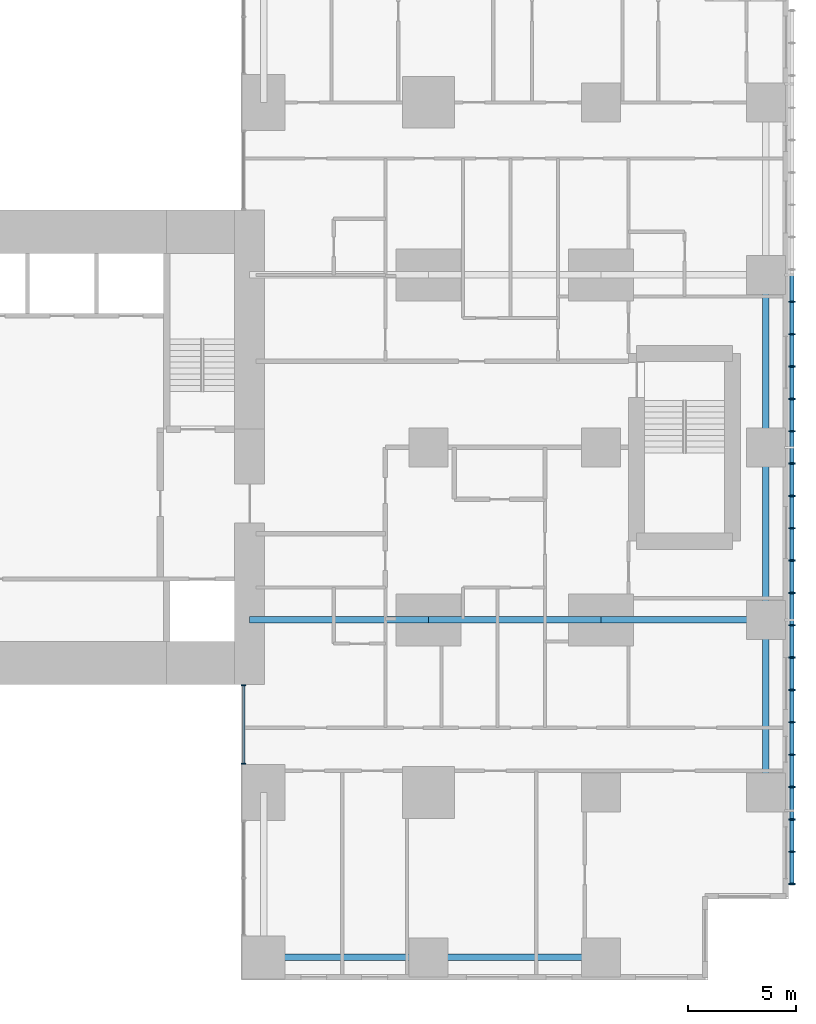
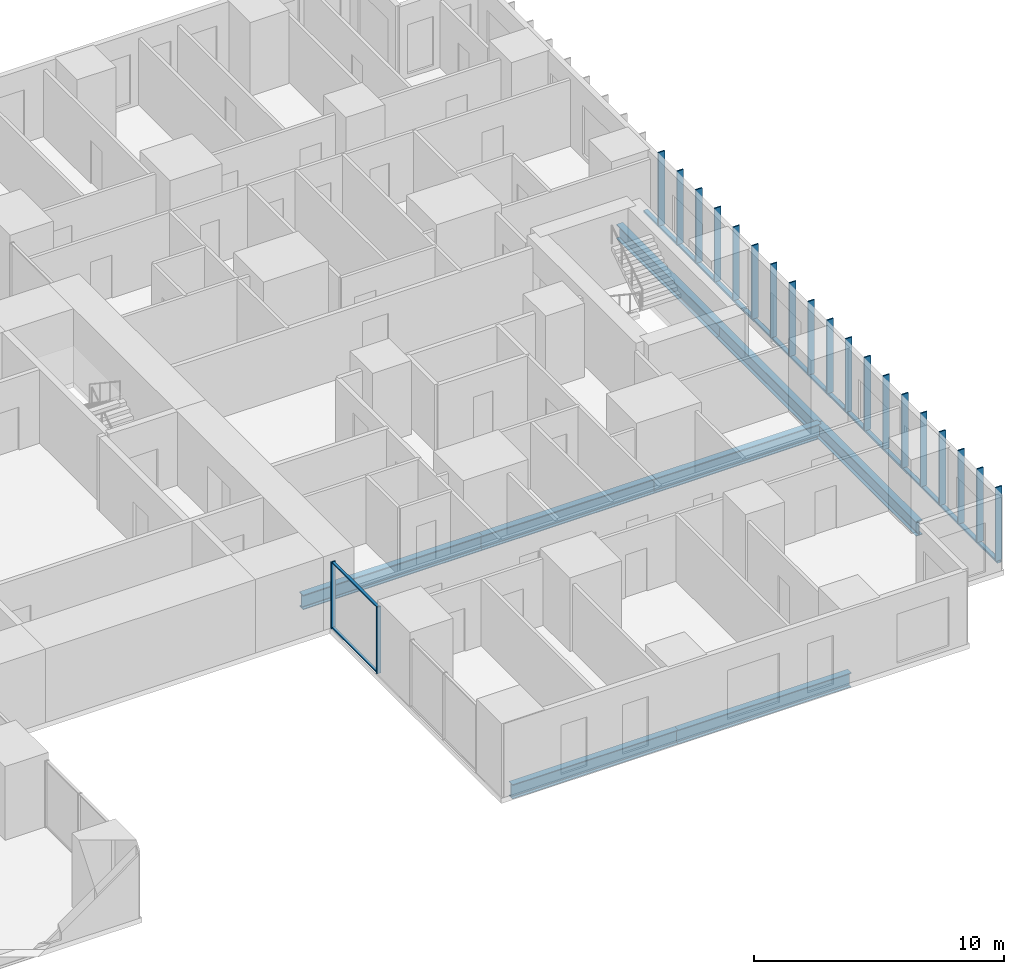
# One storey, part 3 of 15: 26 members, 8 beams, 1 element without a shape of its own.
"""IFC4 building model written with IfcOpenShell, lengths in metres."""

from ifc_helpers import new_model, si_unit, direction, frame, origin, origin_2d, place, context, subcontext, project, spatial, rectangle, hollow_rectangle, i_section, extrude, material, layer, layer_set, material_profile, profile_set, type_object, element, aggregate, save


model = new_model("IFC4")

# Units and contexts
model_context = context("Model", 3, precision=1e-05, world=origin(), true_north=direction((0.0, 1.0)))
body_context = subcontext(model_context, "Body", "Model", "MODEL_VIEW")
ifc_project = project(units=[si_unit("LENGTHUNIT", "METRE"), si_unit("AREAUNIT", "SQUARE_METRE"), si_unit("VOLUMEUNIT", "CUBIC_METRE"), si_unit("PLANEANGLEUNIT", "RADIAN"), si_unit("MASSUNIT", "GRAM", prefix="KILO")], contexts=[model_context])

# Site, building, storey
site_placement = place(None, origin())
site = spatial("IfcSite", under=ifc_project, at=site_placement, CompositionType="ELEMENT")
building_placement = place(site_placement, origin())
building = spatial("IfcBuilding", under=site, at=building_placement, Name="Cleftline Residences", CompositionType="ELEMENT")
storey_placement = place(building_placement, frame((0.0, 0.0, 221.800048828125)))
storey = spatial("IfcBuildingStorey", under=building, at=storey_placement, Name="L58", CompositionType="ELEMENT", Elevation=221.800048828125)

# Members
ifc_material_1 = material(Name="Steel S355, hot-dip galvanised", Category="steel")
ifc_material_profile_1 = material_profile(ifc_material_1, hollow_rectangle(XDim=0.10009765625, YDim=0.199951171875, WallThickness=0.008056640625, InnerFilletRadius=0.008056640625, OuterFilletRadius=0.011962890625, at=origin_2d()))
ifc_profile_set_1 = profile_set([ifc_material_profile_1], Name="Steel S355, hot-dip galvanised")
member_type_1 = type_object("IfcMemberType", Name="BAGUETTE CARRIER RHS 200X100X8", PredefinedType="USERDEFINED", material=ifc_profile_set_1)
member_1_placement = place(storey_placement, frame((66.85009765625, 3.699951171875, -0.050048828125), z_axis=(0.0, 1.0, 0.0), x_axis=(0.0, 0.0, 1.0)))
element("IfcMember", 1, at=member_1_placement, inside=storey, type_object=member_type_1, Name="Baguette carrier", ObjectType="BAGUETTE CARRIER", PredefinedType="USERDEFINED", context=body_context, shape_type="SweptSolid", body=[
    extrude(hollow_rectangle(XDim=0.10009765625, YDim=0.199951171875, WallThickness=0.008056640625, InnerFilletRadius=0.008056640625, OuterFilletRadius=0.011962890625, at=origin_2d()), origin(), (0.0, 0.0, 1.0), 12.300048828125),
])
for number, where, z_axis, x_axis, name in (
    (2, (66.85009765625, 16.0, -0.050048828125), (0.0, 1.0, 0.0), (0.0, 0.0, 1.0), "Baguette carrier"),
    (3, (66.85009765625, 24.0, -0.050048828125), (0.0, 1.0, 0.0), (0.0, 0.0, 1.0), "Baguette carrier"),
):
    element("IfcMember", number, at=place(storey_placement, frame(where, z_axis=z_axis, x_axis=x_axis)), inside=storey, type_object=member_type_1, Name=name, ObjectType="BAGUETTE CARRIER", PredefinedType="USERDEFINED", context=body_context, shape_type="SweptSolid", body=[
        extrude(hollow_rectangle(XDim=0.10009765625, YDim=0.199951171875, WallThickness=0.008056640625, InnerFilletRadius=0.008056640625, OuterFilletRadius=0.011962890625, at=origin_2d()), origin(), (0.0, 0.0, 1.0), 8.0),
    ])

# Beams
ifc_material_2 = material(Name="Steel S355", Category="steel")
ifc_material_profile_2 = material_profile(ifc_material_2, i_section(OverallWidth=0.300048828125, OverallDepth=0.699951171875, WebThickness=0.01708984375, FlangeThickness=0.031982421875, FilletRadius=0.027099609375, at=origin_2d()))
ifc_profile_set_2 = profile_set([ifc_material_profile_2], Name="Steel S355")
beam_type_1 = type_object("IfcBeamType", Name="BEAM HEB 700", PredefinedType="BEAM", material=ifc_profile_set_2)
for number, where, z_axis, x_axis, name in (
    (4, (65.64990234375, 8.0, -0.60009765625), (0.0, 1.0, 0.0), (-1.0, 0.0, 0.0), "Edge beam"),
    (5, (65.64990234375, 16.0, -0.60009765625), (0.0, 1.0, 0.0), (-1.0, 0.0, 0.0), "Edge beam"),
    (6, (65.64990234375, 24.0, -0.60009765625), (0.0, 1.0, 0.0), (-1.0, 0.0, 0.0), "Edge beam"),
    (7, (58.0, 0.35009765625, -0.60009765625), (-1.0, 0.0, 0.0), (0.0, -1.0, 0.0), "Edge beam"),
):
    element("IfcBeam", number, at=place(storey_placement, frame(where, z_axis=z_axis, x_axis=x_axis)), inside=storey, type_object=beam_type_1, Name=name, PredefinedType="BEAM", context=body_context, shape_type="SweptSolid", body=[
        extrude(i_section(OverallWidth=0.300048828125, OverallDepth=0.699951171875, WebThickness=0.01708984375, FlangeThickness=0.031982421875, FilletRadius=0.027099609375, at=origin_2d()), origin(), (0.0, 0.0, 1.0), 8.0),
    ])
beam_1_placement = place(storey_placement, frame((50.0, 0.35009765625, -0.60009765625), z_axis=(-1.0, 0.0, 0.0), x_axis=(0.0, -1.0, 0.0)))
element("IfcBeam", 8, at=beam_1_placement, inside=storey, type_object=beam_type_1, Name="Edge beam", PredefinedType="BEAM", context=body_context, shape_type="SweptSolid", body=[
    extrude(i_section(OverallWidth=0.300048828125, OverallDepth=0.699951171875, WebThickness=0.01708984375, FlangeThickness=0.031982421875, FilletRadius=0.027099609375, at=origin_2d()), origin(), (0.0, 0.0, 1.0), 7.64990234375),
])
ifc_material_3 = material(Name="Steel S355", Category="steel")
ifc_material_profile_3 = material_profile(ifc_material_3, i_section(OverallWidth=0.303955078125, OverallDepth=0.716064453125, WebThickness=0.02099609375, FlangeThickness=0.0400390625, FilletRadius=0.027099609375, at=origin_2d()))
ifc_profile_set_3 = profile_set([ifc_material_profile_3], Name="Steel S355")
beam_type_2 = type_object("IfcBeamType", Name="BEAM HEM 700", PredefinedType="BEAM", material=ifc_profile_set_3)
beam_2_placement = place(storey_placement, frame((65.64990234375, 16.0, -0.608154296875), z_axis=(-1.0, 0.0, 0.0), x_axis=(0.0, -1.0, 0.0)))
element("IfcBeam", 9, at=beam_2_placement, inside=storey, type_object=beam_type_2, Name="Band beam", PredefinedType="BEAM", context=body_context, shape_type="SweptSolid", body=[
    extrude(i_section(OverallWidth=0.303955078125, OverallDepth=0.716064453125, WebThickness=0.02099609375, FlangeThickness=0.0400390625, FilletRadius=0.027099609375, at=origin_2d()), origin(), (0.0, 0.0, 1.0), 7.64990234375),
])
beam_3_placement = place(storey_placement, frame((58.0, 16.0, -0.608154296875), z_axis=(-1.0, 0.0, 0.0), x_axis=(0.0, -1.0, 0.0)))
element("IfcBeam", 10, at=beam_3_placement, inside=storey, type_object=beam_type_2, Name="Band beam", PredefinedType="BEAM", context=body_context, shape_type="SweptSolid", body=[
    extrude(i_section(OverallWidth=0.303955078125, OverallDepth=0.716064453125, WebThickness=0.02099609375, FlangeThickness=0.0400390625, FilletRadius=0.027099609375, at=origin_2d()), origin(), (0.0, 0.0, 1.0), 8.0),
])
beam_4_placement = place(storey_placement, frame((50.0, 16.0, -0.608154296875), z_axis=(-1.0, 0.0, 0.0), x_axis=(0.0, -1.0, 0.0)))
element("IfcBeam", 11, at=beam_4_placement, inside=storey, type_object=beam_type_2, Name="Band beam", PredefinedType="BEAM", context=body_context, shape_type="SweptSolid", body=[
    extrude(i_section(OverallWidth=0.303955078125, OverallDepth=0.716064453125, WebThickness=0.02099609375, FlangeThickness=0.0400390625, FilletRadius=0.027099609375, at=origin_2d()), origin(), (0.0, 0.0, 1.0), 8.300048828125),
])

# Curtain wall, members
ifc_material_4 = material(Name="Aluminium framed curtain wall", Category="aluminium")
ifc_layer = layer(ifc_material_4, 0.199951171875)
ifc_layer_set = layer_set([ifc_layer], Name="CW1 CLEFT GLAZING")
curtain_wall_type = type_object("IfcCurtainWallType", Name="CW1 CLEFT GLAZING", PredefinedType="NOTDEFINED", material=ifc_layer_set)
curtain_wall_placement = place(storey_placement, origin())
curtain_wall = element("IfcCurtainWall", 12, at=curtain_wall_placement, inside=storey, type_object=curtain_wall_type, Name="Curtain wall CW1", PredefinedType="NOTDEFINED")
ifc_material_5 = material(Name="Aluminium mullion", Category="aluminium")
ifc_material_profile_4 = material_profile(ifc_material_5, rectangle(XDim=0.199951171875, YDim=0.06005859375, at=origin_2d()))
ifc_profile_set_4 = profile_set([ifc_material_profile_4], Name="Aluminium mullion")
member_type_2 = type_object("IfcMemberType", Name="CW1 MULLION", PredefinedType="MULLION", material=ifc_profile_set_4)
member_2_placement = place(storey_placement, frame((41.425048828125, 12.969970703125, 0.0), z_axis=(0.0, 0.0, 1.0), x_axis=(1.0, 0.0, 0.0)))
member_2 = element("IfcMember", 13, at=member_2_placement, type_object=member_type_2, Name="CW1 mullion 1", PredefinedType="MULLION", context=body_context, shape_type="SweptSolid", body=[
    extrude(rectangle(XDim=0.199951171875, YDim=0.06005859375, at=origin_2d()), origin(), (0.0, 0.0, 1.0), 3.25),
])
member_3_placement = place(storey_placement, frame((41.425048828125, 9.330078125, 0.0), z_axis=(0.0, 0.0, 1.0), x_axis=(1.0, 0.0, 0.0)))
member_3 = element("IfcMember", 14, at=member_3_placement, type_object=member_type_2, Name="CW1 mullion 2", PredefinedType="MULLION", context=body_context, shape_type="SweptSolid", body=[
    extrude(rectangle(XDim=0.199951171875, YDim=0.06005859375, at=origin_2d()), origin(), (0.0, 0.0, 1.0), 3.25),
])
ifc_material_6 = material(Name="Aluminium transom", Category="aluminium")
ifc_material_profile_5 = material_profile(ifc_material_6, rectangle(XDim=0.1201171875, YDim=0.06005859375, at=origin_2d()))
ifc_profile_set_5 = profile_set([ifc_material_profile_5], Name="Aluminium transom")
member_type_3 = type_object("IfcMemberType", Name="CW1 TRANSOM", PredefinedType="USERDEFINED", material=ifc_profile_set_5)
member_4_placement = place(storey_placement, frame((41.425048828125, 12.93994140625, 0.030029296875), z_axis=(0.0, -1.0, 0.0), x_axis=(1.0, 0.0, 0.0)))
member_4 = element("IfcMember", 15, at=member_4_placement, type_object=member_type_3, Name="CW1 transom 1.1", ObjectType="TRANSOM", PredefinedType="USERDEFINED", context=body_context, shape_type="SweptSolid", body=[
    extrude(rectangle(XDim=0.1201171875, YDim=0.06005859375, at=origin_2d()), origin(), (0.0, 0.0, 1.0), 3.579833984375),
])
member_5_placement = place(storey_placement, frame((41.425048828125, 12.93994140625, 3.219970703125), z_axis=(0.0, -1.0, 0.0), x_axis=(1.0, 0.0, 0.0)))
member_5 = element("IfcMember", 16, at=member_5_placement, type_object=member_type_3, Name="CW1 transom 1.2", ObjectType="TRANSOM", PredefinedType="USERDEFINED", context=body_context, shape_type="SweptSolid", body=[
    extrude(rectangle(XDim=0.1201171875, YDim=0.06005859375, at=origin_2d()), origin(), (0.0, 0.0, 1.0), 3.579833984375),
])
aggregate(curtain_wall, [member_2, member_3, member_4, member_5])

# Members
ifc_material_7 = material(Name="Extruded terracotta", Category="masonry")
ifc_material_profile_6 = material_profile(ifc_material_7, rectangle(XDim=0.06005859375, YDim=0.300048828125, at=origin_2d()))
ifc_profile_set_6 = profile_set([ifc_material_profile_6], Name="Extruded terracotta")
member_type_4 = type_object("IfcMemberType", Name="TERRACOTTA BAGUETTE 60X300", PredefinedType="USERDEFINED", material=ifc_profile_set_6)
for number, where, z_axis, x_axis, name in (
    (17, (66.85009765625, 3.75, 0.0), (0.0, 0.0, 1.0), (0.0, 1.0, 0.0), "Terracotta baguette"),
    (18, (66.85009765625, 5.25, 0.0), (0.0, 0.0, 1.0), (0.0, 1.0, 0.0), "Terracotta baguette"),
    (19, (66.85009765625, 6.75, 0.0), (0.0, 0.0, 1.0), (0.0, 1.0, 0.0), "Terracotta baguette"),
    (20, (66.85009765625, 8.25, 0.0), (0.0, 0.0, 1.0), (0.0, 1.0, 0.0), "Terracotta baguette"),
    (21, (66.85009765625, 9.75, 0.0), (0.0, 0.0, 1.0), (0.0, 1.0, 0.0), "Terracotta baguette"),
    (22, (66.85009765625, 11.25, 0.0), (0.0, 0.0, 1.0), (0.0, 1.0, 0.0), "Terracotta baguette"),
    (23, (66.85009765625, 12.75, 0.0), (0.0, 0.0, 1.0), (0.0, 1.0, 0.0), "Terracotta baguette"),
    (24, (66.85009765625, 14.25, 0.0), (0.0, 0.0, 1.0), (0.0, 1.0, 0.0), "Terracotta baguette"),
    (25, (66.85009765625, 15.75, 0.0), (0.0, 0.0, 1.0), (0.0, 1.0, 0.0), "Terracotta baguette"),
    (26, (66.85009765625, 17.25, 0.0), (0.0, 0.0, 1.0), (0.0, 1.0, 0.0), "Terracotta baguette"),
    (27, (66.85009765625, 18.75, 0.0), (0.0, 0.0, 1.0), (0.0, 1.0, 0.0), "Terracotta baguette"),
    (28, (66.85009765625, 20.25, 0.0), (0.0, 0.0, 1.0), (0.0, 1.0, 0.0), "Terracotta baguette"),
    (29, (66.85009765625, 21.75, 0.0), (0.0, 0.0, 1.0), (0.0, 1.0, 0.0), "Terracotta baguette"),
    (30, (66.85009765625, 23.25, 0.0), (0.0, 0.0, 1.0), (0.0, 1.0, 0.0), "Terracotta baguette"),
    (31, (66.85009765625, 24.75, 0.0), (0.0, 0.0, 1.0), (0.0, 1.0, 0.0), "Terracotta baguette"),
    (32, (66.85009765625, 26.25, 0.0), (0.0, 0.0, 1.0), (0.0, 1.0, 0.0), "Terracotta baguette"),
    (33, (66.85009765625, 27.75, 0.0), (0.0, 0.0, 1.0), (0.0, 1.0, 0.0), "Terracotta baguette"),
    (34, (66.85009765625, 29.25, 0.0), (0.0, 0.0, 1.0), (0.0, 1.0, 0.0), "Terracotta baguette"),
    (35, (66.85009765625, 30.75, 0.0), (0.0, 0.0, 1.0), (0.0, 1.0, 0.0), "Terracotta baguette"),
):
    element("IfcMember", number, at=place(storey_placement, frame(where, z_axis=z_axis, x_axis=x_axis)), inside=storey, type_object=member_type_4, Name=name, ObjectType="BAGUETTE", PredefinedType="USERDEFINED", context=body_context, shape_type="SweptSolid", body=[
        extrude(rectangle(XDim=0.06005859375, YDim=0.300048828125, at=origin_2d()), origin(), (0.0, 0.0, 1.0), 3.599853515625),
    ])

save(model, "model.ifc")
